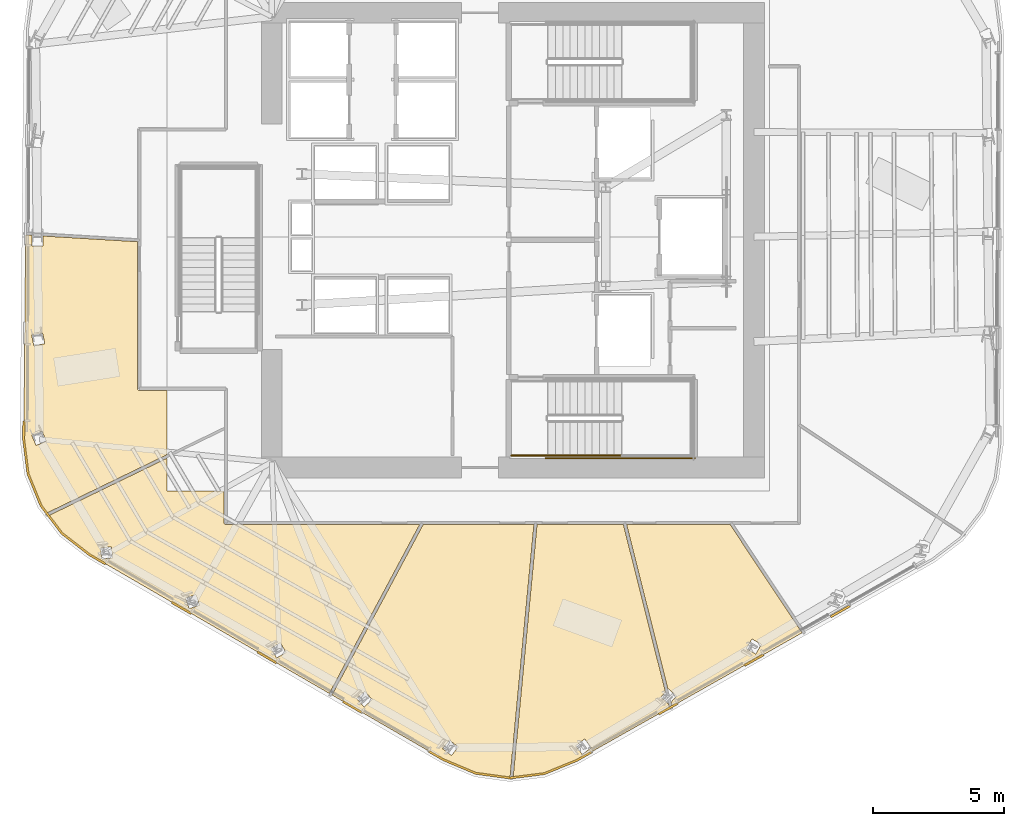
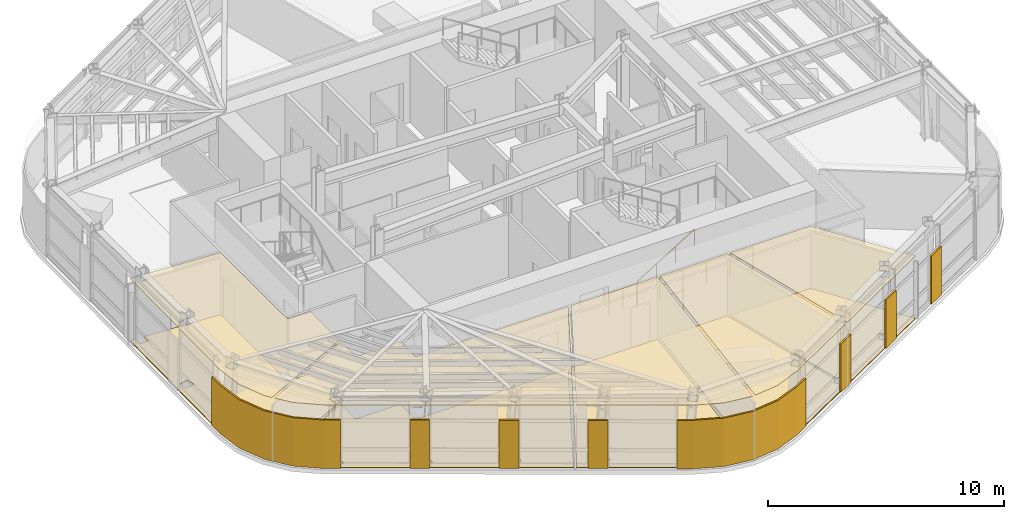
# One storey, part 10 of 16: 18 coverings, 3 railings.
"""IFC4 building model written with IfcOpenShell, lengths in metres."""

from ifc_helpers import new_model, si_unit, direction, frame, origin, origin_2d, place, context, subcontext, project, spatial, polyline, circle, outline, extrude, material, layer, layer_set, type_object, element, save


model = new_model("IFC4")

# Units and contexts
model_context = context("Model", 3, precision=1e-05, world=origin(), true_north=direction((0.0, 1.0)))
body_context = subcontext(model_context, "Body", "Model", "MODEL_VIEW")
ifc_project = project(units=[si_unit("LENGTHUNIT", "METRE"), si_unit("AREAUNIT", "SQUARE_METRE"), si_unit("VOLUMEUNIT", "CUBIC_METRE"), si_unit("PLANEANGLEUNIT", "RADIAN"), si_unit("MASSUNIT", "GRAM", prefix="KILO")], contexts=[model_context])

# Site, building, storey
site_placement = place(None, origin())
site = spatial("IfcSite", under=ifc_project, at=site_placement, CompositionType="ELEMENT")
building_placement = place(site_placement, origin())
building = spatial("IfcBuilding", under=site, at=building_placement, Name="Valkerne Bourse Tower", CompositionType="ELEMENT")
storey_placement = place(building_placement, frame((0.0, 0.0, 151.39990234375)))
storey = spatial("IfcBuildingStorey", under=building, at=storey_placement, Name="L38", CompositionType="ELEMENT", Elevation=151.39990234375)

# Coverings
ifc_material_1 = material(Name="Mineral Fiber Acoustic Ceiling Tile", Category="acoustic")
ifc_layer_1 = layer(ifc_material_1, 0.02490234375)
ifc_layer_set_1 = layer_set([ifc_layer_1], Name="Mineral Fiber Acoustic Ceiling Tile")
covering_type_1 = type_object("IfcCoveringType", Name="COV-CEIL-ACT", PredefinedType="CEILING", material=ifc_layer_set_1)
covering_1_placement = place(storey_placement, frame((0.0, 0.0, 3.22998046875)))
element("IfcCovering", 1, at=covering_1_placement, inside=storey, type_object=covering_type_1, Name="L38 Suspended Ceiling 04", PredefinedType="CEILING", context=body_context, shape_type="SweptSolid", body=[
    extrude(outline(polyline([(55.099365234375, 16.010986328125), (57.84130859375, 11.88427734375), (52.885009765625, 9.082763671875), (52.844482421875, 9.24462890625), (53.046142578125, 9.470458984375), (52.73828125, 9.747314453125), (52.735595703125, 9.746337890625), (52.72216796875, 9.731201171875), (51.144775390625, 16.010986328125), (55.099365234375, 16.010986328125)]), holes=[polyline([(56.07373046875, 11.07568359375), (56.2861328125, 11.4423828125), (55.92822265625, 11.65087890625), (55.926025390625, 11.6494140625), (55.713623046875, 11.28271484375), (56.071533203125, 11.074462890625), (56.07373046875, 11.07568359375)])]), origin(), (0.0, 0.0, 1.0), 0.025146484375),
])
covering_2_placement = place(storey_placement, frame((0.0, 0.0, 3.22998046875)))
element("IfcCovering", 2, at=covering_2_placement, inside=storey, type_object=covering_type_1, Name="L38 Suspended Ceiling 06", PredefinedType="CEILING", context=body_context, shape_type="SweptSolid", body=[
    extrude(outline(polyline([(46.812744140625, 6.365234375), (47.724609375, 16.010986328125), (51.023193359375, 16.010986328125), (52.627197265625, 9.625), (52.453369140625, 9.430419921875), (52.740966796875, 9.171875), (52.778564453125, 9.0224609375), (49.231689453125, 7.017578125), (48.0009765625, 6.515380859375), (46.812744140625, 6.365234375)]), holes=[polyline([(49.79443359375, 7.502197265625), (49.544189453125, 7.831787109375), (49.541259765625, 7.83154296875), (49.20458984375, 7.574462890625), (49.454833984375, 7.24462890625), (49.457763671875, 7.2451171875), (49.79443359375, 7.502197265625)])]), origin(), (0.0, 0.0, 1.0), 0.025146484375),
])
covering_3_placement = place(storey_placement, frame((0.0, 0.0, 3.22998046875)))
element("IfcCovering", 3, at=covering_3_placement, inside=storey, type_object=covering_type_1, Name="L38 Suspended Ceiling 07", PredefinedType="CEILING", context=body_context, shape_type="SweptSolid", body=[
    extrude(outline(polyline([(28.13671875, 19.27392578125), (28.20751953125, 27.06884765625), (28.44580078125, 27.054443359375), (28.44482421875, 26.646484375), (28.44482421875, 26.643798828125), (28.869384765625, 26.642822265625), (28.870361328125, 27.02880859375), (32.48095703125, 26.811279296875), (32.48095703125, 21.19970703125), (32.4873046875, 21.1708984375), (32.513916015625, 21.14111328125), (32.54931640625, 21.131103515625), (33.60009765625, 21.131103515625), (33.60009765625, 18.68115234375), (29.01416015625, 16.4541015625), (28.8017578125, 16.73388671875), (28.302978515625, 17.955810546875), (28.13671875, 19.27392578125)]), holes=[polyline([(28.9951171875, 19.198486328125), (28.83740234375, 19.580322265625), (28.83642578125, 19.5830078125), (28.44384765625, 19.4208984375), (28.601318359375, 19.0390625), (28.6025390625, 19.03662109375), (28.9951171875, 19.198486328125)]), polyline([(28.855224609375, 23.32421875), (28.854736328125, 23.326904296875), (28.438720703125, 23.241455078125), (28.52197265625, 22.8369140625), (28.5224609375, 22.833984375), (28.9384765625, 22.91943359375), (28.855224609375, 23.32421875)])]), origin(), (0.0, 0.0, 1.0), 0.025146484375),
])
covering_4_placement = place(storey_placement, frame((0.0, 0.0, 3.22998046875)))
element("IfcCovering", 4, at=covering_4_placement, inside=storey, type_object=covering_type_1, Name="L38 Suspended Ceiling 08", PredefinedType="CEILING", context=body_context, shape_type="SweptSolid", body=[
    extrude(outline(polyline([(44.158935546875, 7.044189453125), (39.8994140625, 9.51123046875), (43.376708984375, 16.010986328125), (47.60595703125, 16.010986328125), (46.69287109375, 6.35107421875), (45.384521484375, 6.529052734375), (44.158935546875, 7.044189453125)]), holes=[polyline([(44.71484375, 7.53125), (44.37939453125, 7.7900390625), (44.376708984375, 7.79052734375), (44.12451171875, 7.4619140625), (44.4599609375, 7.203125), (44.462646484375, 7.202880859375), (44.71484375, 7.53125)]), polyline([(41.154052734375, 9.651123046875), (41.151611328125, 9.652099609375), (40.84228515625, 9.376708984375), (41.123291015625, 9.0595703125), (41.125732421875, 9.05859375), (41.43505859375, 9.333984375), (41.154052734375, 9.651123046875)])]), origin(), (0.0, 0.0, 1.0), 0.025146484375),
])
covering_5_placement = place(storey_placement, frame((0.0, 0.0, 3.22998046875)))
element("IfcCovering", 5, at=covering_5_placement, inside=storey, type_object=covering_type_1, Name="L38 Suspended Ceiling 09", PredefinedType="CEILING", context=body_context, shape_type="SweptSolid", body=[
    extrude(outline(polyline([(29.0869140625, 16.358154296875), (33.60009765625, 18.5498046875), (33.60009765625, 17.300048828125), (35.781005859375, 17.300048828125), (35.781005859375, 16.079345703125), (35.791015625, 16.0439453125), (35.81982421875, 16.017822265625), (35.849609375, 16.010986328125), (43.242919921875, 16.010986328125), (39.79736328125, 9.5703125), (30.6494140625, 14.868408203125), (29.599365234375, 15.682861328125), (29.0869140625, 16.358154296875)]), holes=[polyline([(37.932861328125, 11.50048828125), (37.9306640625, 11.501708984375), (37.57177734375, 11.295166015625), (37.7822265625, 10.927490234375), (37.784423828125, 10.926025390625), (38.143310546875, 11.1328125), (37.932861328125, 11.50048828125)]), polyline([(34.70849609375, 13.337890625), (34.70654296875, 13.339599609375), (34.313232421875, 13.210205078125), (34.4443359375, 12.8076171875), (34.4462890625, 12.8056640625), (34.83984375, 12.934814453125), (34.70849609375, 13.337890625)]), polyline([(31.528076171875, 14.74658203125), (31.47509765625, 15.166748046875), (31.473388671875, 15.1689453125), (31.062744140625, 15.115966796875), (31.11572265625, 14.69580078125), (31.117431640625, 14.693603515625), (31.528076171875, 14.74658203125)])]), origin(), (0.0, 0.0, 1.0), 0.025146484375),
])
ifc_material_2 = material(Name="Bronze Anodised Aluminium AA 6063-T6", Category="aluminium")
ifc_layer_2 = layer(ifc_material_2, 0.06005859375)
ifc_layer_set_2 = layer_set([ifc_layer_2], Name="Bronze Anodised Aluminium AA 6063-T6")
covering_type_2 = type_object("IfcCoveringType", Name="COV-CRN-ALUM", PredefinedType="CLADDING", material=ifc_layer_set_2)
covering_6_placement = place(storey_placement, origin())
element("IfcCovering", 6, at=covering_6_placement, inside=storey, type_object=covering_type_2, Name="L38 Wind-Shaped Corner Aluminium Cladding 02", PredefinedType="CLADDING", context=body_context, shape_type="SweptSolid", body=[
    extrude(outline(polyline([(58.95068359375, 12.460693359375), (58.9111328125, 12.5302734375), (59.642333984375, 12.943603515625), (59.68212890625, 12.874267578125), (58.95068359375, 12.460693359375)])), origin(), (0.0, 0.0, 1.0), 2.5),
])
covering_7_placement = place(storey_placement, origin())
element("IfcCovering", 7, at=covering_7_placement, inside=storey, type_object=covering_type_2, Name="L38 Wind-Shaped Corner Aluminium Cladding 03", PredefinedType="CLADDING", context=body_context, shape_type="SweptSolid", body=[
    extrude(outline(polyline([(55.66796875, 10.605224609375), (55.62841796875, 10.674560546875), (56.359619140625, 11.087890625), (56.399169921875, 11.0185546875), (55.66796875, 10.605224609375)])), origin(), (0.0, 0.0, 1.0), 2.5),
])
covering_8_placement = place(storey_placement, origin())
element("IfcCovering", 8, at=covering_8_placement, inside=storey, type_object=covering_type_2, Name="L38 Wind-Shaped Corner Aluminium Cladding 04", PredefinedType="CLADDING", context=body_context, shape_type="SweptSolid", body=[
    extrude(outline(polyline([(52.385009765625, 8.74951171875), (52.345458984375, 8.819091796875), (53.07666015625, 9.232421875), (53.1162109375, 9.162841796875), (52.385009765625, 8.74951171875)])), origin(), (0.0, 0.0, 1.0), 2.5),
])
covering_9_placement = place(storey_placement, origin())
element("IfcCovering", 9, at=covering_9_placement, inside=storey, type_object=covering_type_2, Name="L38 Wind-Shaped Corner Aluminium Cladding 05", PredefinedType="CLADDING", context=body_context, shape_type="SweptSolid", body=[
    extrude(outline(polyline([(49.2509765625, 6.97802734375), (48.01220703125, 6.472412109375), (46.691650390625, 6.3056640625), (45.372802734375, 6.486328125), (44.139404296875, 7.004638671875), (43.560546875, 7.340087890625), (43.600830078125, 7.4091796875), (44.175048828125, 7.076416015625), (45.39404296875, 6.564208984375), (46.692138671875, 6.38623046875), (47.99169921875, 6.550537109375), (49.216064453125, 7.050048828125), (49.793701171875, 7.376708984375), (49.83349609375, 7.30712890625), (49.2509765625, 6.97802734375)])), origin(), (0.0, 0.0, 1.0), 2.5),
])
covering_10_placement = place(storey_placement, origin())
element("IfcCovering", 10, at=covering_10_placement, inside=storey, type_object=covering_type_2, Name="L38 Wind-Shaped Corner Aluminium Cladding 06", PredefinedType="CLADDING", context=body_context, shape_type="SweptSolid", body=[
    extrude(outline(polyline([(40.297119140625, 9.22998046875), (40.337646484375, 9.299072265625), (41.064453125, 8.8779296875), (41.024169921875, 8.80908203125), (40.297119140625, 9.22998046875)])), origin(), (0.0, 0.0, 1.0), 2.5),
])
covering_11_placement = place(storey_placement, origin())
element("IfcCovering", 11, at=covering_11_placement, inside=storey, type_object=covering_type_2, Name="L38 Wind-Shaped Corner Aluminium Cladding 07", PredefinedType="CLADDING", context=body_context, shape_type="SweptSolid", body=[
    extrude(outline(polyline([(37.033935546875, 11.1201171875), (37.07421875, 11.18896484375), (37.80126953125, 10.76806640625), (37.760986328125, 10.698974609375), (37.033935546875, 11.1201171875)])), origin(), (0.0, 0.0, 1.0), 2.5),
])
covering_12_placement = place(storey_placement, origin())
element("IfcCovering", 12, at=covering_12_placement, inside=storey, type_object=covering_type_2, Name="L38 Wind-Shaped Corner Aluminium Cladding 08", PredefinedType="CLADDING", context=body_context, shape_type="SweptSolid", body=[
    extrude(outline(polyline([(33.770751953125, 13.010009765625), (33.81103515625, 13.078857421875), (34.5380859375, 12.657958984375), (34.497802734375, 12.5888671875), (33.770751953125, 13.010009765625)])), origin(), (0.0, 0.0, 1.0), 2.5),
])
covering_13_placement = place(storey_placement, origin())
element("IfcCovering", 13, at=covering_13_placement, inside=storey, type_object=covering_type_2, Name="L38 Wind-Shaped Corner Aluminium Cladding 09", PredefinedType="CLADDING", context=body_context, shape_type="SweptSolid", body=[
    extrude(outline(polyline([(30.625, 14.831787109375), (29.56787109375, 15.651611328125), (28.76318359375, 16.7119140625), (28.26025390625, 17.9443359375), (28.092529296875, 19.271484375), (28.09912109375, 19.975830078125), (28.178955078125, 19.975341796875), (28.172607421875, 19.276123046875), (28.338134765625, 17.96484375), (28.833251953125, 16.751953125), (29.625244140625, 15.70849609375), (30.669677734375, 14.8984375), (31.27490234375, 14.5478515625), (31.234375, 14.478759765625), (30.625, 14.831787109375)])), origin(), (0.0, 0.0, 1.0), 2.5),
])
ifc_material_3 = material(Name="Galvanised Painted Steel", Category="steel")
ifc_layer_3 = layer(ifc_material_3, 0.044921875)
ifc_layer_set_3 = layer_set([ifc_layer_3], Name="Galvanised Painted Steel")
covering_type_3 = type_object("IfcCoveringType", Name="COV-FLR-RAF", PredefinedType="FLOORING", material=ifc_layer_set_3)
covering_14_placement = place(storey_placement, origin())
element("IfcCovering", 14, at=covering_14_placement, inside=storey, type_object=covering_type_3, Name="L38 Floor Finish 06", PredefinedType="FLOORING", context=body_context, shape_type="SweptSolid", body=[
    extrude(outline(polyline([(46.812744140625, 6.365234375), (47.724609375, 16.010986328125), (51.023193359375, 16.010986328125), (52.627197265625, 9.625), (52.453369140625, 9.430419921875), (52.740966796875, 9.171875), (52.778564453125, 9.0224609375), (49.231689453125, 7.017578125), (48.0009765625, 6.515380859375), (46.812744140625, 6.365234375)]), holes=[polyline([(49.79443359375, 7.502197265625), (49.544189453125, 7.831787109375), (49.541259765625, 7.83154296875), (49.20458984375, 7.574462890625), (49.454833984375, 7.24462890625), (49.457763671875, 7.2451171875), (49.79443359375, 7.502197265625)])]), origin(), (0.0, 0.0, 1.0), 0.045166015625),
])
covering_15_placement = place(storey_placement, origin())
element("IfcCovering", 15, at=covering_15_placement, inside=storey, type_object=covering_type_3, Name="L38 Floor Finish 07", PredefinedType="FLOORING", context=body_context, shape_type="SweptSolid", body=[
    extrude(outline(polyline([(28.13671875, 19.27392578125), (28.20751953125, 27.06884765625), (28.44580078125, 27.054443359375), (28.44482421875, 26.646484375), (28.44482421875, 26.643798828125), (28.869384765625, 26.642822265625), (28.870361328125, 27.02880859375), (32.48095703125, 26.811279296875), (32.48095703125, 21.19970703125), (32.4873046875, 21.1708984375), (32.513916015625, 21.14111328125), (32.54931640625, 21.131103515625), (33.60009765625, 21.131103515625), (33.60009765625, 18.68115234375), (29.01416015625, 16.4541015625), (28.8017578125, 16.73388671875), (28.302978515625, 17.955810546875), (28.13671875, 19.27392578125)]), holes=[polyline([(28.9951171875, 19.198486328125), (28.83740234375, 19.580322265625), (28.83642578125, 19.5830078125), (28.44384765625, 19.4208984375), (28.601318359375, 19.0390625), (28.6025390625, 19.03662109375), (28.9951171875, 19.198486328125)]), polyline([(28.855224609375, 23.32421875), (28.854736328125, 23.326904296875), (28.438720703125, 23.241455078125), (28.52197265625, 22.8369140625), (28.5224609375, 22.833984375), (28.9384765625, 22.91943359375), (28.855224609375, 23.32421875)])]), origin(), (0.0, 0.0, 1.0), 0.045166015625),
])
ifc_material_4 = material(Name="Polished Granite Stone", Category="masonry")
ifc_layer_4 = layer(ifc_material_4, 0.030029296875)
ifc_layer_set_4 = layer_set([ifc_layer_4], Name="Polished Granite Stone")
covering_type_4 = type_object("IfcCoveringType", Name="COV-FLR-TERRAZZO", PredefinedType="FLOORING", material=ifc_layer_set_4)
covering_16_placement = place(storey_placement, origin())
element("IfcCovering", 16, at=covering_16_placement, inside=storey, type_object=covering_type_4, Name="L38 Floor Finish 04", PredefinedType="FLOORING", context=body_context, shape_type="SweptSolid", body=[
    extrude(outline(polyline([(55.099365234375, 16.010986328125), (57.84130859375, 11.88427734375), (52.885009765625, 9.082763671875), (52.844482421875, 9.24462890625), (53.046142578125, 9.470458984375), (52.73828125, 9.747314453125), (52.735595703125, 9.746337890625), (52.72216796875, 9.731201171875), (51.144775390625, 16.010986328125), (55.099365234375, 16.010986328125)]), holes=[polyline([(56.07373046875, 11.07568359375), (56.2861328125, 11.4423828125), (55.92822265625, 11.65087890625), (55.926025390625, 11.6494140625), (55.713623046875, 11.28271484375), (56.071533203125, 11.074462890625), (56.07373046875, 11.07568359375)])]), origin(), (0.0, 0.0, 1.0), 0.030029296875),
])
covering_17_placement = place(storey_placement, origin())
element("IfcCovering", 17, at=covering_17_placement, inside=storey, type_object=covering_type_4, Name="L38 Floor Finish 08", PredefinedType="FLOORING", context=body_context, shape_type="SweptSolid", body=[
    extrude(outline(polyline([(44.158935546875, 7.044189453125), (39.8994140625, 9.51123046875), (43.376708984375, 16.010986328125), (47.60595703125, 16.010986328125), (46.69287109375, 6.35107421875), (45.384521484375, 6.529052734375), (44.158935546875, 7.044189453125)]), holes=[polyline([(44.71484375, 7.53125), (44.37939453125, 7.7900390625), (44.376708984375, 7.79052734375), (44.12451171875, 7.4619140625), (44.4599609375, 7.203125), (44.462646484375, 7.202880859375), (44.71484375, 7.53125)]), polyline([(41.154052734375, 9.651123046875), (41.151611328125, 9.652099609375), (40.84228515625, 9.376708984375), (41.123291015625, 9.0595703125), (41.125732421875, 9.05859375), (41.43505859375, 9.333984375), (41.154052734375, 9.651123046875)])]), origin(), (0.0, 0.0, 1.0), 0.030029296875),
])
covering_18_placement = place(storey_placement, origin())
element("IfcCovering", 18, at=covering_18_placement, inside=storey, type_object=covering_type_4, Name="L38 Floor Finish 09", PredefinedType="FLOORING", context=body_context, shape_type="SweptSolid", body=[
    extrude(outline(polyline([(29.0869140625, 16.358154296875), (33.60009765625, 18.5498046875), (33.60009765625, 17.300048828125), (35.781005859375, 17.300048828125), (35.781005859375, 16.079345703125), (35.791015625, 16.0439453125), (35.81982421875, 16.017822265625), (35.849609375, 16.010986328125), (43.242919921875, 16.010986328125), (39.79736328125, 9.5703125), (30.6494140625, 14.868408203125), (29.599365234375, 15.682861328125), (29.0869140625, 16.358154296875)]), holes=[polyline([(37.932861328125, 11.50048828125), (37.9306640625, 11.501708984375), (37.57177734375, 11.295166015625), (37.7822265625, 10.927490234375), (37.784423828125, 10.926025390625), (38.143310546875, 11.1328125), (37.932861328125, 11.50048828125)]), polyline([(34.70849609375, 13.337890625), (34.70654296875, 13.339599609375), (34.313232421875, 13.210205078125), (34.4443359375, 12.8076171875), (34.4462890625, 12.8056640625), (34.83984375, 12.934814453125), (34.70849609375, 13.337890625)]), polyline([(31.528076171875, 14.74658203125), (31.47509765625, 15.166748046875), (31.473388671875, 15.1689453125), (31.062744140625, 15.115966796875), (31.11572265625, 14.69580078125), (31.117431640625, 14.693603515625), (31.528076171875, 14.74658203125)])]), origin(), (0.0, 0.0, 1.0), 0.030029296875),
])

# Railings
railing_type_1 = type_object("IfcRailingType", Name="RLG-ST-GUARD-1120", PredefinedType="GUARDRAIL", material=ifc_material_3)
railing_1_placement = place(storey_placement, frame((46.75, 18.64990234375, 0.0)))
element("IfcRailing", 19, at=railing_1_placement, inside=storey, type_object=railing_type_1, Name="L38 ST-1 stair guard 8", PredefinedType="GUARDRAIL", context=body_context, shape_type="SweptSolid", body=[
    extrude(circle(Radius=0.02392578125, at=origin_2d()), frame((0.0, 0.0, 1.09619140625), z_axis=(1.0, 0.0, 0.0), x_axis=(0.0, 1.0, 0.0)), (0.0, 0.0, 1.0), 1.39990234375),
    extrude(circle(Radius=0.02099609375, at=origin_2d()), origin(), (0.0, 0.0, 1.0), 1.072021484375),
    extrude(circle(Radius=0.02099609375, at=origin_2d()), frame((0.699951171875, 0.0, 0.0)), (0.0, 0.0, 1.0), 1.072021484375),
    extrude(circle(Radius=0.02099609375, at=origin_2d()), frame((1.39990234375, 0.0, 0.0)), (0.0, 0.0, 1.0), 1.072021484375),
])
railing_2_placement = place(storey_placement, frame((48.050048828125, 18.550048828125, 0.0)))
element("IfcRailing", 20, at=railing_2_placement, inside=storey, type_object=railing_type_1, Name="L38 ST-1 stair guard 10", PredefinedType="GUARDRAIL", context=body_context, shape_type="SweptSolid", body=[
    extrude(circle(Radius=0.02392578125, at=origin_2d()), frame((0.0, 0.0, 1.09619140625), z_axis=(1.0, 0.0, 0.0), x_axis=(0.0, 1.0, 0.0)), (0.0, 0.0, 1.0), 5.699951171875),
    extrude(circle(Radius=0.02099609375, at=origin_2d()), origin(), (0.0, 0.0, 1.0), 1.072021484375),
    extrude(circle(Radius=0.02099609375, at=origin_2d()), frame((1.139892578125, 0.0, 0.0)), (0.0, 0.0, 1.0), 1.072021484375),
    extrude(circle(Radius=0.02099609375, at=origin_2d()), frame((2.280029296875, 0.0, 0.0)), (0.0, 0.0, 1.0), 1.072021484375),
    extrude(circle(Radius=0.02099609375, at=origin_2d()), frame((3.419921875, 0.0, 0.0)), (0.0, 0.0, 1.0), 1.072021484375),
    extrude(circle(Radius=0.02099609375, at=origin_2d()), frame((4.56005859375, 0.0, 0.0)), (0.0, 0.0, 1.0), 1.072021484375),
    extrude(circle(Radius=0.02099609375, at=origin_2d()), frame((5.699951171875, 0.0, 0.0)), (0.0, 0.0, 1.0), 1.072021484375),
])
ifc_material_5 = material(Name="Stainless Steel AISI 316", Category="steel")
railing_type_2 = type_object("IfcRailingType", Name="RLG-ST-HANDRAIL-900", PredefinedType="HANDRAIL", material=ifc_material_5)
railing_3_placement = place(storey_placement, frame((48.14990234375, 18.64990234375, 0.345458984375)))
element("IfcRailing", 21, at=railing_3_placement, inside=storey, type_object=railing_type_2, Name="L38 ST-1 stair handrail 1", PredefinedType="HANDRAIL", context=body_context, shape_type="SweptSolid", body=[
    extrude(circle(Radius=0.02392578125, at=origin_2d()), frame((0.0, 0.0, 0.8759765625), z_axis=(0.851089632645, 0.0, 0.525020415988), x_axis=(0.0, 1.0, 0.0)), (0.0, 0.0, 1.0), 3.2900390625),
    extrude(circle(Radius=0.02099609375, at=origin_2d()), origin(), (0.0, 0.0, 1.0), 0.851806640625),
    extrude(circle(Radius=0.02099609375, at=origin_2d()), frame((0.933349609375, 0.0, 0.57568359375)), (0.0, 0.0, 1.0), 0.851806640625),
    extrude(circle(Radius=0.02099609375, at=origin_2d()), frame((1.86669921875, 0.0, 1.151611328125)), (0.0, 0.0, 1.0), 0.851806640625),
    extrude(circle(Radius=0.02099609375, at=origin_2d()), frame((2.800048828125, 0.0, 1.727294921875)), (0.0, 0.0, 1.0), 0.851806640625),
])

save(model, "model.ifc")
